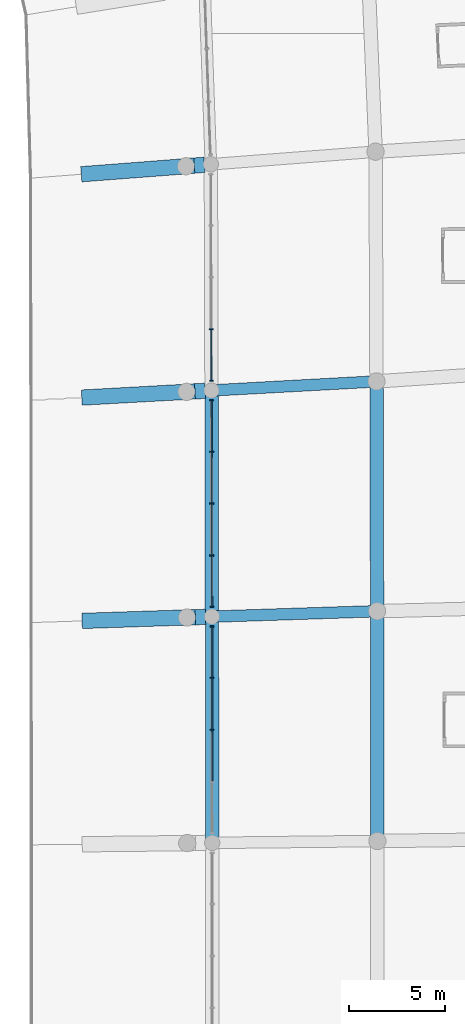
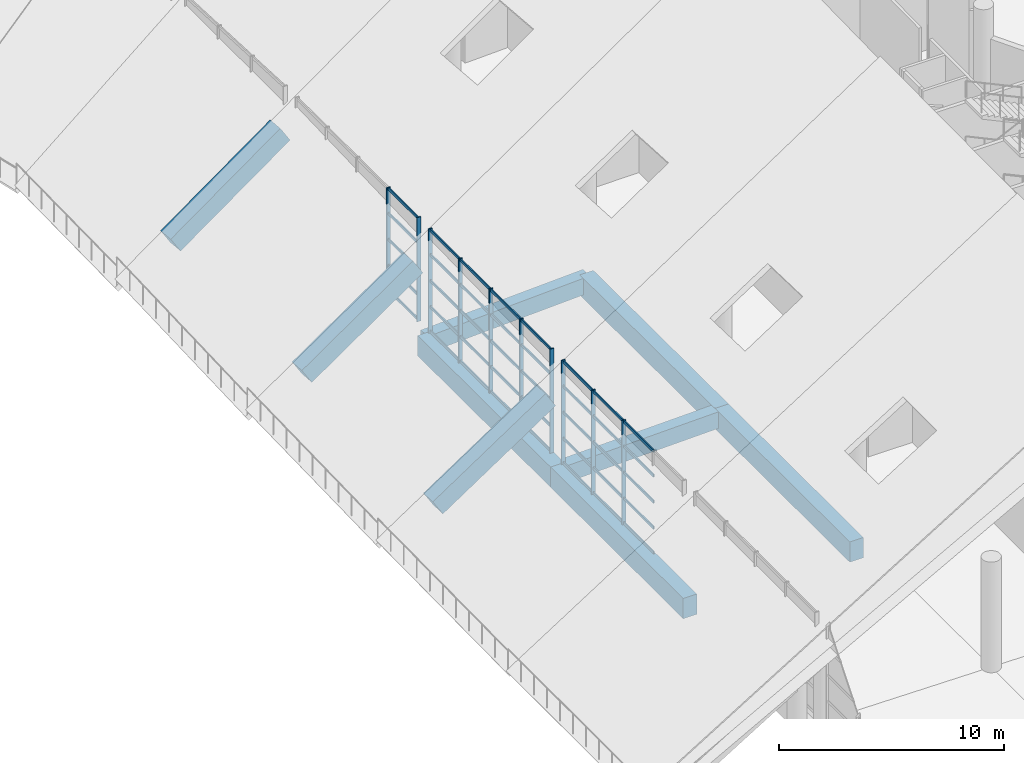
# One storey, part 75 of 249: 50 members, 9 beams, 3 elements without a shape of their own.
"""IFC4 building model written with IfcOpenShell, lengths in metres."""

from ifc_helpers import new_model, si_unit, direction, frame, origin, origin_2d, place, context, subcontext, project, spatial, rectangle, extrude, material, layer, layer_set, material_profile, profile_set, type_object, element, aggregate, save


model = new_model("IFC4")

# Units and contexts
model_context = context("Model", 3, precision=1e-05, world=origin(), true_north=direction((0.0, 1.0)))
body_context = subcontext(model_context, "Body", "Model", "MODEL_VIEW")
ifc_project = project(units=[si_unit("LENGTHUNIT", "METRE"), si_unit("AREAUNIT", "SQUARE_METRE"), si_unit("VOLUMEUNIT", "CUBIC_METRE"), si_unit("PLANEANGLEUNIT", "RADIAN"), si_unit("MASSUNIT", "GRAM", prefix="KILO")], contexts=[model_context])

# Site, building, storey
site_placement = place(None, origin())
site = spatial("IfcSite", under=ifc_project, at=site_placement, CompositionType="ELEMENT")
building_placement = place(site_placement, origin())
building = spatial("IfcBuilding", under=site, at=building_placement, Name="Meseta Stadium", CompositionType="ELEMENT")
storey_placement = place(building_placement, frame((0.0, 0.0, 12.0)))
storey = spatial("IfcBuildingStorey", under=building, at=storey_placement, Name="L02", CompositionType="ELEMENT", Elevation=12.0)

# Curtain wall, members
ifc_material_1 = material(Name="Aluminium", Category="aluminium")
ifc_layer = layer(ifc_material_1, 0.199951171875)
ifc_layer_set = layer_set([ifc_layer], Name="Suite glazing curtain wall")
curtain_wall_type = type_object("IfcCurtainWallType", Name="Suite glazing curtain wall", PredefinedType="NOTDEFINED", material=ifc_layer_set)
curtain_wall_1_placement = place(storey_placement, origin())
curtain_wall_1 = element("IfcCurtainWall", 1, at=curtain_wall_1_placement, inside=storey, type_object=curtain_wall_type, Name="Suite glazing bay 05", PredefinedType="NOTDEFINED")
ifc_material_2 = material(Name="Aluminium", Category="aluminium")
ifc_material_profile_1 = material_profile(ifc_material_2, rectangle(XDim=0.199951171875, YDim=0.06005859375, at=origin_2d()), Name="CW 200x60")
ifc_profile_set_1 = profile_set([ifc_material_profile_1], Name="Aluminium")
member_type_1 = type_object("IfcMemberType", Name="CW mullion 60x200", PredefinedType="MULLION", material=ifc_profile_set_1)
member_1_placement = place(storey_placement, frame((64.892822265625, 11.773681640625, 0.0), z_axis=(0.0, 0.0, 1.0), x_axis=(-0.99999952434, -0.000975355927, 0.0)))
member_1 = element("IfcMember", 2, at=member_1_placement, type_object=member_type_1, Name="CWS mullion 3", PredefinedType="MULLION", context=body_context, shape_type="SweptSolid", body=[
    extrude(rectangle(XDim=0.199951171875, YDim=0.06005859375, at=origin_2d()), origin(), (0.0, 0.0, 1.0), 5.64990234375),
])
member_2_placement = place(storey_placement, frame((64.89013671875, 14.477783203125, 0.0), z_axis=(0.0, 0.0, 1.0), x_axis=(-0.99999952434, -0.000975355927, 0.0)))
member_2 = element("IfcMember", 3, at=member_2_placement, type_object=member_type_1, Name="CWS mullion 4", PredefinedType="MULLION", context=body_context, shape_type="SweptSolid", body=[
    extrude(rectangle(XDim=0.199951171875, YDim=0.06005859375, at=origin_2d()), origin(), (0.0, 0.0, 1.0), 5.64990234375),
])
member_3_placement = place(storey_placement, frame((64.8876953125, 17.151611328125, 0.0), z_axis=(0.0, 0.0, 1.0), x_axis=(-0.99999952434, -0.000975355927, 0.0)))
member_3 = element("IfcMember", 4, at=member_3_placement, type_object=member_type_1, Name="CWS mullion 5", PredefinedType="MULLION", context=body_context, shape_type="SweptSolid", body=[
    extrude(rectangle(XDim=0.199951171875, YDim=0.06005859375, at=origin_2d()), origin(), (0.0, 0.0, 1.0), 5.64990234375),
])

curtain_wall_2_placement = place(storey_placement, origin())
curtain_wall_2 = element("IfcCurtainWall", 5, at=curtain_wall_2_placement, inside=storey, type_object=curtain_wall_type, Name="Suite glazing bay 06", PredefinedType="NOTDEFINED")
member_4_placement = place(storey_placement, frame((64.885986328125, 18.169921875, 0.0), z_axis=(0.0, 0.0, 1.0), x_axis=(-0.999998105206, -0.001946685349, 0.0)))
member_4 = element("IfcMember", 6, at=member_4_placement, type_object=member_type_1, Name="CWS mullion 1", PredefinedType="MULLION", context=body_context, shape_type="SweptSolid", body=[
    extrude(rectangle(XDim=0.199951171875, YDim=0.06005859375, at=origin_2d()), origin(), (0.0, 0.0, 1.0), 5.64990234375),
])
member_5_placement = place(storey_placement, frame((64.880859375, 20.84326171875, 0.0), z_axis=(0.0, 0.0, 1.0), x_axis=(-0.999998105206, -0.001946685349, 0.0)))
member_5 = element("IfcMember", 7, at=member_5_placement, type_object=member_type_1, Name="CWS mullion 2", PredefinedType="MULLION", context=body_context, shape_type="SweptSolid", body=[
    extrude(rectangle(XDim=0.199951171875, YDim=0.06005859375, at=origin_2d()), origin(), (0.0, 0.0, 1.0), 5.64990234375),
])
member_6_placement = place(storey_placement, frame((64.875732421875, 23.546875, 0.0), z_axis=(0.0, 0.0, 1.0), x_axis=(-0.999998105206, -0.001946685349, 0.0)))
member_6 = element("IfcMember", 8, at=member_6_placement, type_object=member_type_1, Name="CWS mullion 3", PredefinedType="MULLION", context=body_context, shape_type="SweptSolid", body=[
    extrude(rectangle(XDim=0.199951171875, YDim=0.06005859375, at=origin_2d()), origin(), (0.0, 0.0, 1.0), 5.64990234375),
])
member_7_placement = place(storey_placement, frame((64.870361328125, 26.250244140625, 0.0), z_axis=(0.0, 0.0, 1.0), x_axis=(-0.999998105206, -0.001946685349, 0.0)))
member_7 = element("IfcMember", 9, at=member_7_placement, type_object=member_type_1, Name="CWS mullion 4", PredefinedType="MULLION", context=body_context, shape_type="SweptSolid", body=[
    extrude(rectangle(XDim=0.199951171875, YDim=0.06005859375, at=origin_2d()), origin(), (0.0, 0.0, 1.0), 5.64990234375),
])
member_8_placement = place(storey_placement, frame((64.865234375, 28.923828125, 0.0), z_axis=(0.0, 0.0, 1.0), x_axis=(-0.999998105206, -0.001946685349, 0.0)))
member_8 = element("IfcMember", 10, at=member_8_placement, type_object=member_type_1, Name="CWS mullion 5", PredefinedType="MULLION", context=body_context, shape_type="SweptSolid", body=[
    extrude(rectangle(XDim=0.199951171875, YDim=0.06005859375, at=origin_2d()), origin(), (0.0, 0.0, 1.0), 5.64990234375),
])

curtain_wall_3_placement = place(storey_placement, origin())
curtain_wall_3 = element("IfcCurtainWall", 11, at=curtain_wall_3_placement, inside=storey, type_object=curtain_wall_type, Name="Suite glazing bay 07", PredefinedType="NOTDEFINED")
member_9_placement = place(storey_placement, frame((64.86279296875, 29.94287109375, 0.0), z_axis=(0.0, 0.0, 1.0), x_axis=(-0.999995765919, -0.002910007458, 0.0)))
member_9 = element("IfcMember", 12, at=member_9_placement, type_object=member_type_1, Name="CWS mullion 1", PredefinedType="MULLION", context=body_context, shape_type="SweptSolid", body=[
    extrude(rectangle(XDim=0.199951171875, YDim=0.06005859375, at=origin_2d()), origin(), (0.0, 0.0, 1.0), 5.64990234375),
])
member_10_placement = place(storey_placement, frame((64.85498046875, 32.61572265625, 0.0), z_axis=(0.0, 0.0, 1.0), x_axis=(-0.999995765919, -0.002910007458, 0.0)))
member_10 = element("IfcMember", 13, at=member_10_placement, type_object=member_type_1, Name="CWS mullion 2", PredefinedType="MULLION", context=body_context, shape_type="SweptSolid", body=[
    extrude(rectangle(XDim=0.199951171875, YDim=0.06005859375, at=origin_2d()), origin(), (0.0, 0.0, 1.0), 5.64990234375),
])

# Member
ifc_material_3 = material(Name="Aluminium", Category="aluminium")
ifc_material_profile_2 = material_profile(ifc_material_3, rectangle(XDim=0.06005859375, YDim=0.14990234375, at=origin_2d()), Name="CW 60x150")
ifc_profile_set_2 = profile_set([ifc_material_profile_2], Name="Aluminium")
member_type_2 = type_object("IfcMemberType", Name="CW transom 60x150", PredefinedType="USERDEFINED", material=ifc_profile_set_2)
member_11_placement = place(storey_placement, frame((64.8955078125, 9.099853515625, 0.074951171875), z_axis=(-0.001015696614, 0.99999948418, 0.0), x_axis=(-0.99999948418, -0.001015696614, 0.0)))
member_11 = element("IfcMember", 14, at=member_11_placement, type_object=member_type_2, Name="CWS transom 2.1", ObjectType="TRANSOM", PredefinedType="USERDEFINED", context=body_context, shape_type="SweptSolid", body=[
    extrude(rectangle(XDim=0.06005859375, YDim=0.14990234375, at=origin_2d()), origin(), (0.0, 0.0, 1.0), 2.64404296875),
])

member_12_placement = place(storey_placement, frame((64.8955078125, 9.099853515625, 1.41259765625), z_axis=(-0.001015696614, 0.99999948418, 0.0), x_axis=(-0.99999948418, -0.001015696614, 0.0)))
member_12 = element("IfcMember", 15, at=member_12_placement, type_object=member_type_2, Name="CWS transom 2.2", ObjectType="TRANSOM", PredefinedType="USERDEFINED", context=body_context, shape_type="SweptSolid", body=[
    extrude(rectangle(XDim=0.06005859375, YDim=0.14990234375, at=origin_2d()), origin(), (0.0, 0.0, 1.0), 2.64404296875),
])

member_13_placement = place(storey_placement, frame((64.8955078125, 9.099853515625, 2.824951171875), z_axis=(-0.001015696614, 0.99999948418, 0.0), x_axis=(-0.99999948418, -0.001015696614, 0.0)))
member_13 = element("IfcMember", 16, at=member_13_placement, type_object=member_type_2, Name="CWS transom 2.3", ObjectType="TRANSOM", PredefinedType="USERDEFINED", context=body_context, shape_type="SweptSolid", body=[
    extrude(rectangle(XDim=0.06005859375, YDim=0.14990234375, at=origin_2d()), origin(), (0.0, 0.0, 1.0), 2.64404296875),
])

member_14_placement = place(storey_placement, frame((64.8955078125, 9.099853515625, 4.237548828125), z_axis=(-0.001015696614, 0.99999948418, 0.0), x_axis=(-0.99999948418, -0.001015696614, 0.0)))
member_14 = element("IfcMember", 17, at=member_14_placement, type_object=member_type_2, Name="CWS transom 2.4", ObjectType="TRANSOM", PredefinedType="USERDEFINED", context=body_context, shape_type="SweptSolid", body=[
    extrude(rectangle(XDim=0.06005859375, YDim=0.14990234375, at=origin_2d()), origin(), (0.0, 0.0, 1.0), 2.64404296875),
])

member_15_placement = place(storey_placement, frame((64.8955078125, 9.099853515625, 5.574951171875), z_axis=(-0.001015696614, 0.99999948418, 0.0), x_axis=(-0.99999948418, -0.001015696614, 0.0)))
member_15 = element("IfcMember", 18, at=member_15_placement, type_object=member_type_2, Name="CWS transom 2.5", ObjectType="TRANSOM", PredefinedType="USERDEFINED", context=body_context, shape_type="SweptSolid", body=[
    extrude(rectangle(XDim=0.06005859375, YDim=0.14990234375, at=origin_2d()), origin(), (0.0, 0.0, 1.0), 2.64404296875),
])

member_16_placement = place(storey_placement, frame((64.892822265625, 11.8037109375, 0.074951171875), z_axis=(-0.001015696614, 0.99999948418, 0.0), x_axis=(-0.99999948418, -0.001015696614, 0.0)))
member_16 = element("IfcMember", 19, at=member_16_placement, type_object=member_type_2, Name="CWS transom 3.1", ObjectType="TRANSOM", PredefinedType="USERDEFINED", context=body_context, shape_type="SweptSolid", body=[
    extrude(rectangle(XDim=0.06005859375, YDim=0.14990234375, at=origin_2d()), origin(), (0.0, 0.0, 1.0), 2.64404296875),
])

member_17_placement = place(storey_placement, frame((64.892822265625, 11.8037109375, 1.41259765625), z_axis=(-0.001015696614, 0.99999948418, 0.0), x_axis=(-0.99999948418, -0.001015696614, 0.0)))
member_17 = element("IfcMember", 20, at=member_17_placement, type_object=member_type_2, Name="CWS transom 3.2", ObjectType="TRANSOM", PredefinedType="USERDEFINED", context=body_context, shape_type="SweptSolid", body=[
    extrude(rectangle(XDim=0.06005859375, YDim=0.14990234375, at=origin_2d()), origin(), (0.0, 0.0, 1.0), 2.64404296875),
])

member_18_placement = place(storey_placement, frame((64.892822265625, 11.8037109375, 2.824951171875), z_axis=(-0.001015696614, 0.99999948418, 0.0), x_axis=(-0.99999948418, -0.001015696614, 0.0)))
member_18 = element("IfcMember", 21, at=member_18_placement, type_object=member_type_2, Name="CWS transom 3.3", ObjectType="TRANSOM", PredefinedType="USERDEFINED", context=body_context, shape_type="SweptSolid", body=[
    extrude(rectangle(XDim=0.06005859375, YDim=0.14990234375, at=origin_2d()), origin(), (0.0, 0.0, 1.0), 2.64404296875),
])

member_19_placement = place(storey_placement, frame((64.892822265625, 11.8037109375, 4.237548828125), z_axis=(-0.001015696614, 0.99999948418, 0.0), x_axis=(-0.99999948418, -0.001015696614, 0.0)))
member_19 = element("IfcMember", 22, at=member_19_placement, type_object=member_type_2, Name="CWS transom 3.4", ObjectType="TRANSOM", PredefinedType="USERDEFINED", context=body_context, shape_type="SweptSolid", body=[
    extrude(rectangle(XDim=0.06005859375, YDim=0.14990234375, at=origin_2d()), origin(), (0.0, 0.0, 1.0), 2.64404296875),
])

member_20_placement = place(storey_placement, frame((64.892822265625, 11.8037109375, 5.574951171875), z_axis=(-0.001015696614, 0.99999948418, 0.0), x_axis=(-0.99999948418, -0.001015696614, 0.0)))
member_20 = element("IfcMember", 23, at=member_20_placement, type_object=member_type_2, Name="CWS transom 3.5", ObjectType="TRANSOM", PredefinedType="USERDEFINED", context=body_context, shape_type="SweptSolid", body=[
    extrude(rectangle(XDim=0.06005859375, YDim=0.14990234375, at=origin_2d()), origin(), (0.0, 0.0, 1.0), 2.64404296875),
])

member_21_placement = place(storey_placement, frame((64.89013671875, 14.507568359375, 0.074951171875), z_axis=(-0.000933968025, 0.999999563852, 0.0), x_axis=(-0.999999563852, -0.000933968025, 0.0)))
member_21 = element("IfcMember", 24, at=member_21_placement, type_object=member_type_2, Name="CWS transom 4.1", ObjectType="TRANSOM", PredefinedType="USERDEFINED", context=body_context, shape_type="SweptSolid", body=[
    extrude(rectangle(XDim=0.06005859375, YDim=0.14990234375, at=origin_2d()), origin(), (0.0, 0.0, 1.0), 2.614013671875),
])

member_22_placement = place(storey_placement, frame((64.89013671875, 14.507568359375, 1.41259765625), z_axis=(-0.000933968025, 0.999999563852, 0.0), x_axis=(-0.999999563852, -0.000933968025, 0.0)))
member_22 = element("IfcMember", 25, at=member_22_placement, type_object=member_type_2, Name="CWS transom 4.2", ObjectType="TRANSOM", PredefinedType="USERDEFINED", context=body_context, shape_type="SweptSolid", body=[
    extrude(rectangle(XDim=0.06005859375, YDim=0.14990234375, at=origin_2d()), origin(), (0.0, 0.0, 1.0), 2.614013671875),
])

member_23_placement = place(storey_placement, frame((64.89013671875, 14.507568359375, 2.824951171875), z_axis=(-0.000933968025, 0.999999563852, 0.0), x_axis=(-0.999999563852, -0.000933968025, 0.0)))
member_23 = element("IfcMember", 26, at=member_23_placement, type_object=member_type_2, Name="CWS transom 4.3", ObjectType="TRANSOM", PredefinedType="USERDEFINED", context=body_context, shape_type="SweptSolid", body=[
    extrude(rectangle(XDim=0.06005859375, YDim=0.14990234375, at=origin_2d()), origin(), (0.0, 0.0, 1.0), 2.614013671875),
])

member_24_placement = place(storey_placement, frame((64.89013671875, 14.507568359375, 4.237548828125), z_axis=(-0.000933968025, 0.999999563852, 0.0), x_axis=(-0.999999563852, -0.000933968025, 0.0)))
member_24 = element("IfcMember", 27, at=member_24_placement, type_object=member_type_2, Name="CWS transom 4.4", ObjectType="TRANSOM", PredefinedType="USERDEFINED", context=body_context, shape_type="SweptSolid", body=[
    extrude(rectangle(XDim=0.06005859375, YDim=0.14990234375, at=origin_2d()), origin(), (0.0, 0.0, 1.0), 2.614013671875),
])

member_25_placement = place(storey_placement, frame((64.89013671875, 14.507568359375, 5.574951171875), z_axis=(-0.000933968025, 0.999999563852, 0.0), x_axis=(-0.999999563852, -0.000933968025, 0.0)))
member_25 = element("IfcMember", 28, at=member_25_placement, type_object=member_type_2, Name="CWS transom 4.5", ObjectType="TRANSOM", PredefinedType="USERDEFINED", context=body_context, shape_type="SweptSolid", body=[
    extrude(rectangle(XDim=0.06005859375, YDim=0.14990234375, at=origin_2d()), origin(), (0.0, 0.0, 1.0), 2.614013671875),
])

aggregate(curtain_wall_1, [member_1, member_2, member_3, member_11, member_12, member_13, member_14, member_15, member_16, member_17, member_18, member_19, member_20, member_21, member_22, member_23, member_24, member_25])

member_26_placement = place(storey_placement, frame((64.885986328125, 18.199951171875, 0.074951171875), z_axis=(-0.001961696366, 0.999998075872, 0.0), x_axis=(-0.999998075872, -0.001961696366, 0.0)))
member_26 = element("IfcMember", 29, at=member_26_placement, type_object=member_type_2, Name="CWS transom 1.1", ObjectType="TRANSOM", PredefinedType="USERDEFINED", context=body_context, shape_type="SweptSolid", body=[
    extrude(rectangle(XDim=0.06005859375, YDim=0.14990234375, at=origin_2d()), origin(), (0.0, 0.0, 1.0), 2.613525390625),
])

member_27_placement = place(storey_placement, frame((64.885986328125, 18.199951171875, 1.41259765625), z_axis=(-0.001961696366, 0.999998075872, 0.0), x_axis=(-0.999998075872, -0.001961696366, 0.0)))
member_27 = element("IfcMember", 30, at=member_27_placement, type_object=member_type_2, Name="CWS transom 1.2", ObjectType="TRANSOM", PredefinedType="USERDEFINED", context=body_context, shape_type="SweptSolid", body=[
    extrude(rectangle(XDim=0.06005859375, YDim=0.14990234375, at=origin_2d()), origin(), (0.0, 0.0, 1.0), 2.613525390625),
])

member_28_placement = place(storey_placement, frame((64.885986328125, 18.199951171875, 2.824951171875), z_axis=(-0.001961696366, 0.999998075872, 0.0), x_axis=(-0.999998075872, -0.001961696366, 0.0)))
member_28 = element("IfcMember", 31, at=member_28_placement, type_object=member_type_2, Name="CWS transom 1.3", ObjectType="TRANSOM", PredefinedType="USERDEFINED", context=body_context, shape_type="SweptSolid", body=[
    extrude(rectangle(XDim=0.06005859375, YDim=0.14990234375, at=origin_2d()), origin(), (0.0, 0.0, 1.0), 2.613525390625),
])

member_29_placement = place(storey_placement, frame((64.885986328125, 18.199951171875, 4.237548828125), z_axis=(-0.001961696366, 0.999998075872, 0.0), x_axis=(-0.999998075872, -0.001961696366, 0.0)))
member_29 = element("IfcMember", 32, at=member_29_placement, type_object=member_type_2, Name="CWS transom 1.4", ObjectType="TRANSOM", PredefinedType="USERDEFINED", context=body_context, shape_type="SweptSolid", body=[
    extrude(rectangle(XDim=0.06005859375, YDim=0.14990234375, at=origin_2d()), origin(), (0.0, 0.0, 1.0), 2.613525390625),
])

member_30_placement = place(storey_placement, frame((64.885986328125, 18.199951171875, 5.574951171875), z_axis=(-0.001961696366, 0.999998075872, 0.0), x_axis=(-0.999998075872, -0.001961696366, 0.0)))
member_30 = element("IfcMember", 33, at=member_30_placement, type_object=member_type_2, Name="CWS transom 1.5", ObjectType="TRANSOM", PredefinedType="USERDEFINED", context=body_context, shape_type="SweptSolid", body=[
    extrude(rectangle(XDim=0.06005859375, YDim=0.14990234375, at=origin_2d()), origin(), (0.0, 0.0, 1.0), 2.613525390625),
])

member_31_placement = place(storey_placement, frame((64.880859375, 20.873291015625, 0.074951171875), z_axis=(-0.001939412681, 0.999998119337, 0.0), x_axis=(-0.999998119337, -0.001939412681, 0.0)))
member_31 = element("IfcMember", 34, at=member_31_placement, type_object=member_type_2, Name="CWS transom 2.1", ObjectType="TRANSOM", PredefinedType="USERDEFINED", context=body_context, shape_type="SweptSolid", body=[
    extrude(rectangle(XDim=0.06005859375, YDim=0.14990234375, at=origin_2d()), origin(), (0.0, 0.0, 1.0), 2.6435546875),
])

member_32_placement = place(storey_placement, frame((64.880859375, 20.873291015625, 1.41259765625), z_axis=(-0.001939412681, 0.999998119337, 0.0), x_axis=(-0.999998119337, -0.001939412681, 0.0)))
member_32 = element("IfcMember", 35, at=member_32_placement, type_object=member_type_2, Name="CWS transom 2.2", ObjectType="TRANSOM", PredefinedType="USERDEFINED", context=body_context, shape_type="SweptSolid", body=[
    extrude(rectangle(XDim=0.06005859375, YDim=0.14990234375, at=origin_2d()), origin(), (0.0, 0.0, 1.0), 2.6435546875),
])

member_33_placement = place(storey_placement, frame((64.880859375, 20.873291015625, 2.824951171875), z_axis=(-0.001939412681, 0.999998119337, 0.0), x_axis=(-0.999998119337, -0.001939412681, 0.0)))
member_33 = element("IfcMember", 36, at=member_33_placement, type_object=member_type_2, Name="CWS transom 2.3", ObjectType="TRANSOM", PredefinedType="USERDEFINED", context=body_context, shape_type="SweptSolid", body=[
    extrude(rectangle(XDim=0.06005859375, YDim=0.14990234375, at=origin_2d()), origin(), (0.0, 0.0, 1.0), 2.6435546875),
])

member_34_placement = place(storey_placement, frame((64.880859375, 20.873291015625, 4.237548828125), z_axis=(-0.001939412681, 0.999998119337, 0.0), x_axis=(-0.999998119337, -0.001939412681, 0.0)))
member_34 = element("IfcMember", 37, at=member_34_placement, type_object=member_type_2, Name="CWS transom 2.4", ObjectType="TRANSOM", PredefinedType="USERDEFINED", context=body_context, shape_type="SweptSolid", body=[
    extrude(rectangle(XDim=0.06005859375, YDim=0.14990234375, at=origin_2d()), origin(), (0.0, 0.0, 1.0), 2.6435546875),
])

member_35_placement = place(storey_placement, frame((64.880859375, 20.873291015625, 5.574951171875), z_axis=(-0.001939412681, 0.999998119337, 0.0), x_axis=(-0.999998119337, -0.001939412681, 0.0)))
member_35 = element("IfcMember", 38, at=member_35_placement, type_object=member_type_2, Name="CWS transom 2.5", ObjectType="TRANSOM", PredefinedType="USERDEFINED", context=body_context, shape_type="SweptSolid", body=[
    extrude(rectangle(XDim=0.06005859375, YDim=0.14990234375, at=origin_2d()), origin(), (0.0, 0.0, 1.0), 2.6435546875),
])

member_36_placement = place(storey_placement, frame((64.87548828125, 23.576904296875, 0.074951171875), z_axis=(-0.001939591807, 0.99999811899, 0.0), x_axis=(-0.99999811899, -0.001939591807, 0.0)))
member_36 = element("IfcMember", 39, at=member_36_placement, type_object=member_type_2, Name="CWS transom 3.1", ObjectType="TRANSOM", PredefinedType="USERDEFINED", context=body_context, shape_type="SweptSolid", body=[
    extrude(rectangle(XDim=0.06005859375, YDim=0.14990234375, at=origin_2d()), origin(), (0.0, 0.0, 1.0), 2.643310546875),
])

member_37_placement = place(storey_placement, frame((64.87548828125, 23.576904296875, 1.41259765625), z_axis=(-0.001939591807, 0.99999811899, 0.0), x_axis=(-0.99999811899, -0.001939591807, 0.0)))
member_37 = element("IfcMember", 40, at=member_37_placement, type_object=member_type_2, Name="CWS transom 3.2", ObjectType="TRANSOM", PredefinedType="USERDEFINED", context=body_context, shape_type="SweptSolid", body=[
    extrude(rectangle(XDim=0.06005859375, YDim=0.14990234375, at=origin_2d()), origin(), (0.0, 0.0, 1.0), 2.643310546875),
])

member_38_placement = place(storey_placement, frame((64.87548828125, 23.576904296875, 2.824951171875), z_axis=(-0.001939591807, 0.99999811899, 0.0), x_axis=(-0.99999811899, -0.001939591807, 0.0)))
member_38 = element("IfcMember", 41, at=member_38_placement, type_object=member_type_2, Name="CWS transom 3.3", ObjectType="TRANSOM", PredefinedType="USERDEFINED", context=body_context, shape_type="SweptSolid", body=[
    extrude(rectangle(XDim=0.06005859375, YDim=0.14990234375, at=origin_2d()), origin(), (0.0, 0.0, 1.0), 2.643310546875),
])

member_39_placement = place(storey_placement, frame((64.87548828125, 23.576904296875, 4.237548828125), z_axis=(-0.001939591807, 0.99999811899, 0.0), x_axis=(-0.99999811899, -0.001939591807, 0.0)))
member_39 = element("IfcMember", 42, at=member_39_placement, type_object=member_type_2, Name="CWS transom 3.4", ObjectType="TRANSOM", PredefinedType="USERDEFINED", context=body_context, shape_type="SweptSolid", body=[
    extrude(rectangle(XDim=0.06005859375, YDim=0.14990234375, at=origin_2d()), origin(), (0.0, 0.0, 1.0), 2.643310546875),
])

member_40_placement = place(storey_placement, frame((64.87548828125, 23.576904296875, 5.574951171875), z_axis=(-0.001939591807, 0.99999811899, 0.0), x_axis=(-0.99999811899, -0.001939591807, 0.0)))
member_40 = element("IfcMember", 43, at=member_40_placement, type_object=member_type_2, Name="CWS transom 3.5", ObjectType="TRANSOM", PredefinedType="USERDEFINED", context=body_context, shape_type="SweptSolid", body=[
    extrude(rectangle(XDim=0.06005859375, YDim=0.14990234375, at=origin_2d()), origin(), (0.0, 0.0, 1.0), 2.643310546875),
])

member_41_placement = place(storey_placement, frame((64.870361328125, 26.2802734375, 0.074951171875), z_axis=(-0.001961696366, 0.999998075872, 0.0), x_axis=(-0.999998075872, -0.001961696366, 0.0)))
member_41 = element("IfcMember", 44, at=member_41_placement, type_object=member_type_2, Name="CWS transom 4.1", ObjectType="TRANSOM", PredefinedType="USERDEFINED", context=body_context, shape_type="SweptSolid", body=[
    extrude(rectangle(XDim=0.06005859375, YDim=0.14990234375, at=origin_2d()), origin(), (0.0, 0.0, 1.0), 2.613525390625),
])

member_42_placement = place(storey_placement, frame((64.870361328125, 26.2802734375, 1.41259765625), z_axis=(-0.001961696366, 0.999998075872, 0.0), x_axis=(-0.999998075872, -0.001961696366, 0.0)))
member_42 = element("IfcMember", 45, at=member_42_placement, type_object=member_type_2, Name="CWS transom 4.2", ObjectType="TRANSOM", PredefinedType="USERDEFINED", context=body_context, shape_type="SweptSolid", body=[
    extrude(rectangle(XDim=0.06005859375, YDim=0.14990234375, at=origin_2d()), origin(), (0.0, 0.0, 1.0), 2.613525390625),
])

member_43_placement = place(storey_placement, frame((64.870361328125, 26.2802734375, 2.824951171875), z_axis=(-0.001961696366, 0.999998075872, 0.0), x_axis=(-0.999998075872, -0.001961696366, 0.0)))
member_43 = element("IfcMember", 46, at=member_43_placement, type_object=member_type_2, Name="CWS transom 4.3", ObjectType="TRANSOM", PredefinedType="USERDEFINED", context=body_context, shape_type="SweptSolid", body=[
    extrude(rectangle(XDim=0.06005859375, YDim=0.14990234375, at=origin_2d()), origin(), (0.0, 0.0, 1.0), 2.613525390625),
])

member_44_placement = place(storey_placement, frame((64.870361328125, 26.2802734375, 4.237548828125), z_axis=(-0.001961696366, 0.999998075872, 0.0), x_axis=(-0.999998075872, -0.001961696366, 0.0)))
member_44 = element("IfcMember", 47, at=member_44_placement, type_object=member_type_2, Name="CWS transom 4.4", ObjectType="TRANSOM", PredefinedType="USERDEFINED", context=body_context, shape_type="SweptSolid", body=[
    extrude(rectangle(XDim=0.06005859375, YDim=0.14990234375, at=origin_2d()), origin(), (0.0, 0.0, 1.0), 2.613525390625),
])

member_45_placement = place(storey_placement, frame((64.870361328125, 26.2802734375, 5.574951171875), z_axis=(-0.001961696366, 0.999998075872, 0.0), x_axis=(-0.999998075872, -0.001961696366, 0.0)))
member_45 = element("IfcMember", 48, at=member_45_placement, type_object=member_type_2, Name="CWS transom 4.5", ObjectType="TRANSOM", PredefinedType="USERDEFINED", context=body_context, shape_type="SweptSolid", body=[
    extrude(rectangle(XDim=0.06005859375, YDim=0.14990234375, at=origin_2d()), origin(), (0.0, 0.0, 1.0), 2.613525390625),
])

aggregate(curtain_wall_2, [member_4, member_5, member_6, member_7, member_8, member_26, member_27, member_28, member_29, member_30, member_31, member_32, member_33, member_34, member_35, member_36, member_37, member_38, member_39, member_40, member_41, member_42, member_43, member_44, member_45])

member_46_placement = place(storey_placement, frame((64.862548828125, 29.972900390625, 0.074951171875), z_axis=(-0.002896642679, 0.999995804722, 0.0), x_axis=(-0.999995804722, -0.002896642679, 0.0)))
member_46 = element("IfcMember", 49, at=member_46_placement, type_object=member_type_2, Name="CWS transom 1.1", ObjectType="TRANSOM", PredefinedType="USERDEFINED", context=body_context, shape_type="SweptSolid", body=[
    extrude(rectangle(XDim=0.06005859375, YDim=0.14990234375, at=origin_2d()), origin(), (0.0, 0.0, 1.0), 2.61279296875),
])

member_47_placement = place(storey_placement, frame((64.862548828125, 29.972900390625, 1.41259765625), z_axis=(-0.002896642679, 0.999995804722, 0.0), x_axis=(-0.999995804722, -0.002896642679, 0.0)))
member_47 = element("IfcMember", 50, at=member_47_placement, type_object=member_type_2, Name="CWS transom 1.2", ObjectType="TRANSOM", PredefinedType="USERDEFINED", context=body_context, shape_type="SweptSolid", body=[
    extrude(rectangle(XDim=0.06005859375, YDim=0.14990234375, at=origin_2d()), origin(), (0.0, 0.0, 1.0), 2.61279296875),
])

member_48_placement = place(storey_placement, frame((64.862548828125, 29.972900390625, 2.824951171875), z_axis=(-0.002896642679, 0.999995804722, 0.0), x_axis=(-0.999995804722, -0.002896642679, 0.0)))
member_48 = element("IfcMember", 51, at=member_48_placement, type_object=member_type_2, Name="CWS transom 1.3", ObjectType="TRANSOM", PredefinedType="USERDEFINED", context=body_context, shape_type="SweptSolid", body=[
    extrude(rectangle(XDim=0.06005859375, YDim=0.14990234375, at=origin_2d()), origin(), (0.0, 0.0, 1.0), 2.61279296875),
])

member_49_placement = place(storey_placement, frame((64.862548828125, 29.972900390625, 4.237548828125), z_axis=(-0.002896642679, 0.999995804722, 0.0), x_axis=(-0.999995804722, -0.002896642679, 0.0)))
member_49 = element("IfcMember", 52, at=member_49_placement, type_object=member_type_2, Name="CWS transom 1.4", ObjectType="TRANSOM", PredefinedType="USERDEFINED", context=body_context, shape_type="SweptSolid", body=[
    extrude(rectangle(XDim=0.06005859375, YDim=0.14990234375, at=origin_2d()), origin(), (0.0, 0.0, 1.0), 2.61279296875),
])

member_50_placement = place(storey_placement, frame((64.862548828125, 29.972900390625, 5.574951171875), z_axis=(-0.002896642679, 0.999995804722, 0.0), x_axis=(-0.999995804722, -0.002896642679, 0.0)))
member_50 = element("IfcMember", 53, at=member_50_placement, type_object=member_type_2, Name="CWS transom 1.5", ObjectType="TRANSOM", PredefinedType="USERDEFINED", context=body_context, shape_type="SweptSolid", body=[
    extrude(rectangle(XDim=0.06005859375, YDim=0.14990234375, at=origin_2d()), origin(), (0.0, 0.0, 1.0), 2.61279296875),
])

aggregate(curtain_wall_3, [member_9, member_10, member_46, member_47, member_48, member_49, member_50])

# Beams
ifc_material_4 = material(Name="Concrete C40/50", Category="concrete")
ifc_material_profile_3 = material_profile(ifc_material_4, rectangle(XDim=0.60009765625, YDim=0.89990234375, at=origin_2d()), Name="RC 600x900")
ifc_profile_set_3 = profile_set([ifc_material_profile_3], Name="Concrete C40/50")
beam_type_1 = type_object("IfcBeamType", Name="RC beam 600x900", PredefinedType="BEAM", material=ifc_profile_set_3)
beam_1_placement = place(storey_placement, frame((64.88720703125, 17.660888671875, -0.800048828125), z_axis=(0.999459492737, 0.032874342231, 0.0), x_axis=(-0.032874342231, 0.999459492737, 0.0)))
element("IfcBeam", 54, at=beam_1_placement, inside=storey, type_object=beam_type_1, Name="L02 radial beam frame 6 line D to E", PredefinedType="BEAM", context=body_context, shape_type="SweptSolid", body=[
    extrude(rectangle(XDim=0.60009765625, YDim=0.89990234375, at=origin_2d()), origin(), (0.0, 0.0, 1.0), 8.599853515625),
])
beam_2_placement = place(storey_placement, frame((64.8642578125, 29.433349609375, -0.800048828125), z_axis=(0.998501047384, 0.054732607948, 0.0), x_axis=(-0.054732607948, 0.998501047384, 0.0)))
element("IfcBeam", 55, at=beam_2_placement, inside=storey, type_object=beam_type_1, Name="L02 radial beam frame 7 line D to E", PredefinedType="BEAM", context=body_context, shape_type="SweptSolid", body=[
    extrude(rectangle(XDim=0.60009765625, YDim=0.89990234375, at=origin_2d()), origin(), (0.0, 0.0, 1.0), 8.60009765625),
])
ifc_material_5 = material(Name="Concrete C40/50", Category="concrete")
ifc_material_profile_4 = material_profile(ifc_material_5, rectangle(XDim=0.699951171875, YDim=1.10009765625, at=origin_2d()), Name="RC 700x1100")
ifc_profile_set_4 = profile_set([ifc_material_profile_4], Name="Concrete C40/50")
beam_type_2 = type_object("IfcBeamType", Name="RC beam 700x1100", PredefinedType="BEAM", material=ifc_profile_set_4)
beam_3_placement = place(storey_placement, frame((64.898681640625, 5.886962890625, -0.89990234375), z_axis=(-0.000974577566, 0.999999525099, 0.0), x_axis=(-0.999999525099, -0.000974577566, 0.0)))
element("IfcBeam", 56, at=beam_3_placement, inside=storey, type_object=beam_type_2, Name="L02 ring beam frame 5 line D", PredefinedType="BEAM", context=body_context, shape_type="SweptSolid", body=[
    extrude(rectangle(XDim=0.699951171875, YDim=1.10009765625, at=origin_2d()), origin(), (0.0, 0.0, 1.0), 11.77392578125),
])
beam_4_placement = place(storey_placement, frame((73.498046875, 5.981201171875, -0.89990234375), z_axis=(-0.001306174648, 0.999999146954, 0.0), x_axis=(-0.999999146954, -0.001306174648, 0.0)))
element("IfcBeam", 57, at=beam_4_placement, inside=storey, type_object=beam_type_2, Name="L02 ring beam frame 5 line E", PredefinedType="BEAM", context=body_context, shape_type="SweptSolid", body=[
    extrude(rectangle(XDim=0.699951171875, YDim=1.10009765625, at=origin_2d()), origin(), (0.0, 0.0, 1.0), 11.96240234375),
])
beam_5_placement = place(storey_placement, frame((64.88720703125, 17.660888671875, -0.89990234375), z_axis=(-0.001949394886, 0.999998099928, 0.0), x_axis=(-0.999998099928, -0.001949394886, 0.0)))
element("IfcBeam", 58, at=beam_5_placement, inside=storey, type_object=beam_type_2, Name="L02 ring beam frame 6 line D", PredefinedType="BEAM", context=body_context, shape_type="SweptSolid", body=[
    extrude(rectangle(XDim=0.699951171875, YDim=1.10009765625, at=origin_2d()), origin(), (0.0, 0.0, 1.0), 11.7724609375),
])
beam_6_placement = place(storey_placement, frame((73.482421875, 17.943603515625, -0.89990234375), z_axis=(-0.002592357078, 0.999996639837, 0.0), x_axis=(-0.999996639837, -0.002592357078, 0.0)))
element("IfcBeam", 59, at=beam_6_placement, inside=storey, type_object=beam_type_2, Name="L02 ring beam frame 6 line E", PredefinedType="BEAM", context=body_context, shape_type="SweptSolid", body=[
    extrude(rectangle(XDim=0.699951171875, YDim=1.10009765625, at=origin_2d()), origin(), (0.0, 0.0, 1.0), 11.96044921875),
])
ifc_material_6 = material(Name="Concrete C40/50", Category="concrete")
ifc_material_profile_5 = material_profile(ifc_material_6, rectangle(XDim=0.800048828125, YDim=1.0, at=origin_2d()), Name="RC 800x1000")
ifc_profile_set_5 = profile_set([ifc_material_profile_5], Name="Concrete C40/50")
beam_type_3 = type_object("IfcBeamType", Name="RC raker upper front 800x1000", PredefinedType="USERDEFINED", material=ifc_profile_set_5)
beam_7_placement = place(storey_placement, frame((58.390625, 17.447021484375, -0.05029296875), z_axis=(0.84755192503, 0.027897312152, 0.529978748964), x_axis=(-0.032897350014, 0.999458735698, 0.0)))
element("IfcBeam", 60, at=beam_7_placement, inside=storey, type_object=beam_type_3, Name="Raker upper front frame 6 upper tier", ObjectType="RAKER", PredefinedType="USERDEFINED", context=body_context, shape_type="SweptSolid", body=[
    extrude(rectangle(XDim=0.800048828125, YDim=1.0, at=origin_2d()), origin(), (0.0, 0.0, 1.0), 6.957275390625),
])
beam_8_placement = place(storey_placement, frame((58.373779296875, 29.077392578125, 0.026611328125), z_axis=(0.846750700545, 0.046423736141, 0.52996045876), x_axis=(-0.054743528807, 0.9985004487, 0.0)))
element("IfcBeam", 61, at=beam_8_placement, inside=storey, type_object=beam_type_3, Name="Raker upper front frame 7 upper tier", ObjectType="RAKER", PredefinedType="USERDEFINED", context=body_context, shape_type="SweptSolid", body=[
    extrude(rectangle(XDim=0.800048828125, YDim=1.0, at=origin_2d()), origin(), (0.0, 0.0, 1.0), 6.95751953125),
])
beam_9_placement = place(storey_placement, frame((58.34912109375, 40.70654296875, 0.103271484375), z_axis=(0.845520766678, 0.064918589681, 0.5299813297), x_axis=(-0.076554100174, 0.99706542902, 0.0)))
element("IfcBeam", 62, at=beam_9_placement, inside=storey, type_object=beam_type_3, Name="Raker upper front frame 8 upper tier", ObjectType="RAKER", PredefinedType="USERDEFINED", context=body_context, shape_type="SweptSolid", body=[
    extrude(rectangle(XDim=0.800048828125, YDim=1.0, at=origin_2d()), origin(), (0.0, 0.0, 1.0), 6.957275390625),
])

save(model, "model.ifc")
